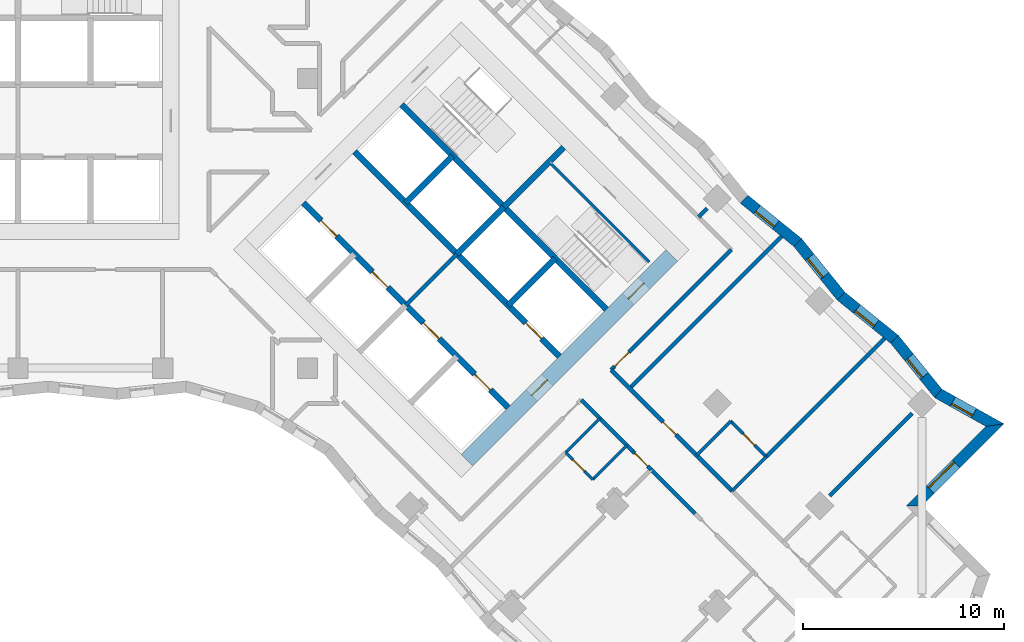
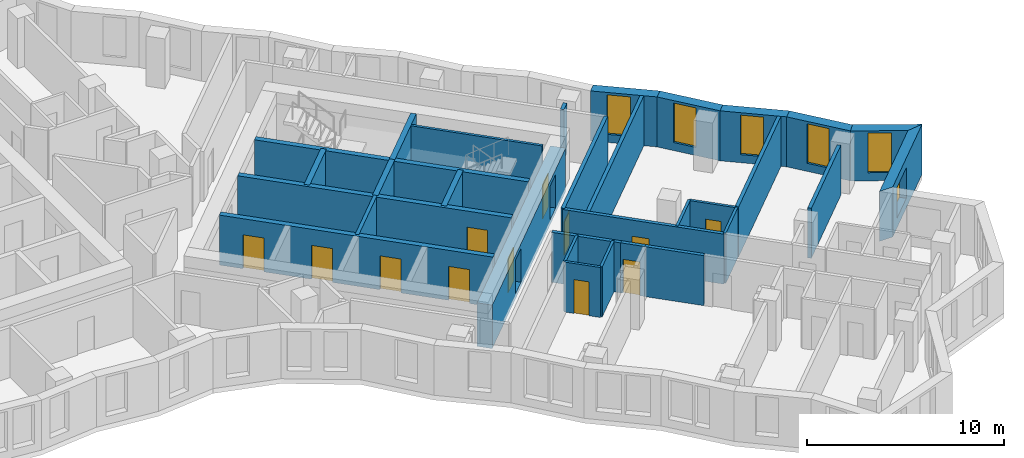
# One storey, part 9 of 12: 32 walls, 12 doors, 6 windows, 18 openings.
"""IFC4 building model written with IfcOpenShell, lengths in metres."""

from ifc_helpers import new_model, si_unit, direction, frame, frame_2d, origin, place, context, subcontext, project, spatial, polyline, rectangle, outline, extrude, material, layer, layer_set, type_object, element, fill, save


model = new_model("IFC4")

# Units and contexts
model_context = context("Model", 3, precision=1e-05, world=origin(), true_north=direction((0.0, 1.0)))
body_context = subcontext(model_context, "Body", "Model", "MODEL_VIEW")
ifc_project = project(units=[si_unit("LENGTHUNIT", "METRE"), si_unit("AREAUNIT", "SQUARE_METRE"), si_unit("VOLUMEUNIT", "CUBIC_METRE"), si_unit("PLANEANGLEUNIT", "RADIAN"), si_unit("MASSUNIT", "GRAM", prefix="KILO")], contexts=[model_context])

# Site, building, storey
site_placement = place(None, origin())
site = spatial("IfcSite", under=ifc_project, at=site_placement, CompositionType="ELEMENT")
building_placement = place(site_placement, origin())
building = spatial("IfcBuilding", under=site, at=building_placement, Name="Windrow Commons", CompositionType="ELEMENT")
storey_placement = place(building_placement, frame((0.0, 0.0, 88.0)))
storey = spatial("IfcBuildingStorey", under=building, at=storey_placement, Name="L23", CompositionType="ELEMENT", Elevation=88.0)

# Wall, opening, window
ifc_material_1 = material(Name="Brick masonry, red clay brick", Category="masonry")
ifc_layer_1 = layer(ifc_material_1, 0.55)
ifc_layer_set_1 = layer_set([ifc_layer_1], Name="Brick facade wall 550")
wall_type_1 = type_object("IfcWallType", Name="Brick facade wall 550", PredefinedType="SOLIDWALL", material=ifc_layer_set_1)
wall_1_placement = place(storey_placement, frame((109.3581, 36.3618, 0.0), z_axis=(0.0, 0.0, 1.0), x_axis=(0.7071067812, 0.7071067812, 0.0)))
wall_1 = element("IfcWall", 1, at=wall_1_placement, inside=storey, type_object=wall_type_1, Name="Brick facade wall L23 6", PredefinedType="SOLIDWALL", context=body_context, shape_type="SweptSolid", body=[
    extrude(outline(polyline([(0.275, -0.275), (6.036, -0.275), (5.3094, 0.275), (-0.275, 0.275), (0.275, -0.275)])), origin(), (0.0, 0.0, 1.0), 3.1),
])
opening_1_placement = place(wall_1_placement, frame((1.1375, 0.0, 0.6)))
opening_1 = element("IfcOpeningElement", 2, at=opening_1_placement, cuts=wall_1, Name="Opening W1L", PredefinedType="OPENING", context=body_context, shape_type="SweptSolid", body=[
    extrude(rectangle(XDim=1.8, YDim=1.9, at=frame_2d((0.9, 0.95))), frame((0.0, 0.285, 0.0), z_axis=(0.0, -1.0, 0.0), x_axis=(1.0, 0.0, 0.0)), (0.0, 0.0, 1.0), 0.57),
])
ifc_material_2 = material(Name="Clear float glass in anodised aluminium frame", Category="aluminium")
window_type_1 = type_object("IfcWindowType", Name="Window W1L bedroom 1800x1900", PartitioningType="SINGLE_PANEL", PredefinedType="WINDOW", material=ifc_material_2)
window_1_placement = place(opening_1_placement, origin())
window_1 = element("IfcWindow", 3, at=window_1_placement, inside=storey, type_object=window_type_1, Name="Window L23 6.1", OverallHeight=1.9, OverallWidth=1.8, PartitioningType="SINGLE_PANEL", PredefinedType="WINDOW", context=body_context, shape_type="SweptSolid", body=[
    extrude(rectangle(XDim=1.8, YDim=1.9, at=frame_2d((0.9, 0.95))), frame((0.0, 0.155, 0.0), z_axis=(0.0, -1.0, 0.0), x_axis=(1.0, 0.0, 0.0)), (0.0, 0.0, 1.0), 0.06),
])
fill(opening_1, window_1)

wall_2_placement = place(storey_placement, frame((113.3693, 40.373, 0.0), z_axis=(0.0, 0.0, 1.0), x_axis=(-0.8725208006, 0.4885769668, 0.0)))
wall_2 = element("IfcWall", 4, at=wall_2_placement, inside=storey, type_object=wall_type_1, Name="Brick facade wall L23 7", PredefinedType="SOLIDWALL", context=body_context, shape_type="SweptSolid", body=[
    extrude(outline(polyline([(-0.3633, -0.275), (3.1764, -0.275), (3.2824, 0.275), (0.3633, 0.275), (-0.3633, -0.275)])), origin(), (0.0, 0.0, 1.0), 3.1),
])
opening_2_placement = place(wall_2_placement, frame((1.1963, 0.0, 0.5)))
opening_2 = element("IfcOpeningElement", 5, at=opening_2_placement, cuts=wall_2, Name="Opening W7D", PredefinedType="OPENING", context=body_context, shape_type="SweptSolid", body=[
    extrude(rectangle(XDim=1.2, YDim=2.45, at=frame_2d((0.6, 1.225))), frame((0.0, 0.285, 0.0), z_axis=(0.0, -1.0, 0.0), x_axis=(1.0, 0.0, 0.0)), (0.0, 0.0, 1.0), 0.57),
])
ifc_material_3 = material(Name="Clear float glass in anodised aluminium frame", Category="aluminium")
window_type_2 = type_object("IfcWindowType", Name="Window W7 notch 1200x2450", PartitioningType="SINGLE_PANEL", PredefinedType="WINDOW", material=ifc_material_3)
window_2_placement = place(opening_2_placement, origin())
window_2 = element("IfcWindow", 6, at=window_2_placement, inside=storey, type_object=window_type_2, Name="Window L23 7.1", OverallHeight=2.45, OverallWidth=1.2, PartitioningType="SINGLE_PANEL", PredefinedType="WINDOW", context=body_context, shape_type="SweptSolid", body=[
    extrude(rectangle(XDim=1.2, YDim=2.45, at=frame_2d((0.6, 1.225))), frame((0.0, 0.155, 0.0), z_axis=(0.0, -1.0, 0.0), x_axis=(1.0, 0.0, 0.0)), (0.0, 0.0, 1.0), 0.06),
])
fill(opening_2, window_2)

wall_3_placement = place(storey_placement, frame((110.5516, 41.9508, 0.0), z_axis=(0.0, 0.0, 1.0), x_axis=(-0.6286568792, 0.7776827941, 0.0)))
wall_3 = element("IfcWall", 7, at=wall_3_placement, inside=storey, type_object=wall_type_1, Name="Brick facade wall L23 8", PredefinedType="SOLIDWALL", context=body_context, shape_type="SweptSolid", body=[
    extrude(outline(polyline([(0.053, -0.275), (3.4788, -0.275), (3.4205, 0.275), (-0.053, 0.275), (0.053, -0.275)])), origin(), (0.0, 0.0, 1.0), 3.1),
])
opening_3_placement = place(wall_3_placement, frame((1.1103, 0.0, 0.5)))
opening_3 = element("IfcOpeningElement", 8, at=opening_3_placement, cuts=wall_3, Name="Opening W7D", PredefinedType="OPENING", context=body_context, shape_type="SweptSolid", body=[
    extrude(rectangle(XDim=1.2, YDim=2.45, at=frame_2d((0.6, 1.225))), frame((0.0, 0.285, 0.0), z_axis=(0.0, -1.0, 0.0), x_axis=(1.0, 0.0, 0.0)), (0.0, 0.0, 1.0), 0.57),
])
window_3_placement = place(opening_3_placement, origin())
window_3 = element("IfcWindow", 9, at=window_3_placement, inside=storey, type_object=window_type_2, Name="Window L23 8.1", OverallHeight=2.45, OverallWidth=1.2, PartitioningType="SINGLE_PANEL", PredefinedType="WINDOW", context=body_context, shape_type="SweptSolid", body=[
    extrude(rectangle(XDim=1.2, YDim=2.45, at=frame_2d((0.6, 1.225))), frame((0.0, 0.155, 0.0), z_axis=(0.0, -1.0, 0.0), x_axis=(1.0, 0.0, 0.0)), (0.0, 0.0, 1.0), 0.06),
])
fill(opening_3, window_3)

wall_4_placement = place(storey_placement, frame((108.3829, 44.6336, 0.0), z_axis=(0.0, 0.0, 1.0), x_axis=(-0.777677697, 0.6286631845, 0.0)))
wall_4 = element("IfcWall", 10, at=wall_4_placement, inside=storey, type_object=wall_type_1, Name="Brick facade wall L23 9", PredefinedType="SOLIDWALL", context=body_context, shape_type="SweptSolid", body=[
    extrude(outline(polyline([(-0.0291, -0.275), (3.3967, -0.275), (3.455, 0.275), (0.0291, 0.275), (-0.0291, -0.275)])), origin(), (0.0, 0.0, 1.0), 3.1),
])
opening_4_placement = place(wall_4_placement, frame((1.2072, 0.0, 0.5)))
opening_4 = element("IfcOpeningElement", 11, at=opening_4_placement, cuts=wall_4, Name="Opening W7D", PredefinedType="OPENING", context=body_context, shape_type="SweptSolid", body=[
    extrude(rectangle(XDim=1.2, YDim=2.45, at=frame_2d((0.6, 1.225))), frame((0.0, 0.285, 0.0), z_axis=(0.0, -1.0, 0.0), x_axis=(1.0, 0.0, 0.0)), (0.0, 0.0, 1.0), 0.57),
])
window_4_placement = place(opening_4_placement, origin())
window_4 = element("IfcWindow", 12, at=window_4_placement, inside=storey, type_object=window_type_2, Name="Window L23 9.1", OverallHeight=2.45, OverallWidth=1.2, PartitioningType="SINGLE_PANEL", PredefinedType="WINDOW", context=body_context, shape_type="SweptSolid", body=[
    extrude(rectangle(XDim=1.2, YDim=2.45, at=frame_2d((0.6, 1.225))), frame((0.0, 0.155, 0.0), z_axis=(0.0, -1.0, 0.0), x_axis=(1.0, 0.0, 0.0)), (0.0, 0.0, 1.0), 0.06),
])
fill(opening_4, window_4)

wall_5_placement = place(storey_placement, frame((105.7187, 46.7873, 0.0), z_axis=(0.0, 0.0, 1.0), x_axis=(-0.6286631845, 0.777677697, 0.0)))
wall_5 = element("IfcWall", 13, at=wall_5_placement, inside=storey, type_object=wall_type_1, Name="Brick facade wall L23 10", PredefinedType="SOLIDWALL", context=body_context, shape_type="SweptSolid", body=[
    extrude(outline(polyline([(0.0291, -0.275), (3.455, -0.275), (3.3967, 0.275), (-0.0291, 0.275), (0.0291, -0.275)])), origin(), (0.0, 0.0, 1.0), 3.1),
])
opening_5_placement = place(wall_5_placement, frame((1.2898, 0.0, 0.5)))
opening_5 = element("IfcOpeningElement", 14, at=opening_5_placement, cuts=wall_5, Name="Opening W7D", PredefinedType="OPENING", context=body_context, shape_type="SweptSolid", body=[
    extrude(rectangle(XDim=1.2, YDim=2.45, at=frame_2d((0.6, 1.225))), frame((0.0, 0.285, 0.0), z_axis=(0.0, -1.0, 0.0), x_axis=(1.0, 0.0, 0.0)), (0.0, 0.0, 1.0), 0.57),
])
window_5_placement = place(opening_5_placement, origin())
window_5 = element("IfcWindow", 15, at=window_5_placement, inside=storey, type_object=window_type_2, Name="Window L23 10.1", OverallHeight=2.45, OverallWidth=1.2, PartitioningType="SINGLE_PANEL", PredefinedType="WINDOW", context=body_context, shape_type="SweptSolid", body=[
    extrude(rectangle(XDim=1.2, YDim=2.45, at=frame_2d((0.6, 1.225))), frame((0.0, 0.155, 0.0), z_axis=(0.0, -1.0, 0.0), x_axis=(1.0, 0.0, 0.0)), (0.0, 0.0, 1.0), 0.06),
])
fill(opening_5, window_5)

wall_6_placement = place(storey_placement, frame((103.565, 49.4515, 0.0), z_axis=(0.0, 0.0, 1.0), x_axis=(-0.777689233, 0.6286489138, 0.0)))
wall_6 = element("IfcWall", 16, at=wall_6_placement, inside=storey, type_object=wall_type_1, Name="Brick facade wall L23 11", PredefinedType="SOLIDWALL", context=body_context, shape_type="SweptSolid", body=[
    extrude(outline(polyline([(-0.0291, -0.275), (3.3967, -0.275), (3.455, 0.275), (0.0291, 0.275), (-0.0291, -0.275)])), origin(), (0.0, 0.0, 1.0), 3.1),
])
opening_6_placement = place(wall_6_placement, frame((1.4015, 0.0, 0.5)))
opening_6 = element("IfcOpeningElement", 17, at=opening_6_placement, cuts=wall_6, Name="Opening W7D", PredefinedType="OPENING", context=body_context, shape_type="SweptSolid", body=[
    extrude(rectangle(XDim=1.2, YDim=2.45, at=frame_2d((0.6, 1.225))), frame((0.0, 0.285, 0.0), z_axis=(0.0, -1.0, 0.0), x_axis=(1.0, 0.0, 0.0)), (0.0, 0.0, 1.0), 0.57),
])
window_6_placement = place(opening_6_placement, origin())
window_6 = element("IfcWindow", 18, at=window_6_placement, inside=storey, type_object=window_type_2, Name="Window L23 11.1", OverallHeight=2.45, OverallWidth=1.2, PartitioningType="SINGLE_PANEL", PredefinedType="WINDOW", context=body_context, shape_type="SweptSolid", body=[
    extrude(rectangle(XDim=1.2, YDim=2.45, at=frame_2d((0.6, 1.225))), frame((0.0, 0.155, 0.0), z_axis=(0.0, -1.0, 0.0), x_axis=(1.0, 0.0, 0.0)), (0.0, 0.0, 1.0), 0.06),
])
fill(opening_6, window_6)

# Wall
ifc_material_4 = material(Name="Blockwork partition", Category="masonry")
ifc_layer_2 = layer(ifc_material_4, 0.2)
ifc_layer_set_2 = layer_set([ifc_layer_2], Name="Fire lobby partition 200")
wall_type_2 = type_object("IfcWallType", Name="Fire lobby partition 200", PredefinedType="PARTITIONING", material=ifc_layer_set_2)
wall_7_placement = place(storey_placement, frame((84.079, 46.332, 0.0), z_axis=(0.0, 0.0, 1.0), x_axis=(0.7071067812, 0.7071067812, 0.0)))
element("IfcWall", 19, at=wall_7_placement, inside=storey, type_object=wall_type_2, Name="W-core-lobby-B-L23", PredefinedType="PARTITIONING", context=body_context, shape_type="SweptSolid", body=[
    extrude(rectangle(XDim=3.6, YDim=0.2, at=frame_2d((1.8, 0.0))), origin(), (0.0, 0.0, 1.0), 3.1),
])

# Wall, opening, door
ifc_material_5 = material(Name="Blockwork partition", Category="masonry")
ifc_layer_3 = layer(ifc_material_5, 0.2)
ifc_layer_set_3 = layer_set([ifc_layer_3], Name="IW-CORRIDOR-200")
wall_type_3 = type_object("IfcWallType", Name="IW-CORRIDOR-200", PredefinedType="PARTITIONING", material=ifc_layer_set_3)
wall_8_placement = place(storey_placement, frame((94.2945, 43.1105, 0.0), z_axis=(0.0, 0.0, 1.0), x_axis=(0.7071067812, -0.7071067812, 0.0)))
wall_8 = element("IfcWall", 20, at=wall_8_placement, inside=storey, type_object=wall_type_3, Name="W-L23-W008", PredefinedType="PARTITIONING", context=body_context, shape_type="SweptSolid", body=[
    extrude(rectangle(XDim=8.4994, YDim=0.2, at=frame_2d((4.2497, 0.0))), origin(), (0.0, 0.0, 1.0), 3.1),
])
opening_7_placement = place(wall_8_placement, frame((3.6515, 0.0, 0.0)))
opening_7 = element("IfcOpeningElement", 21, at=opening_7_placement, cuts=wall_8, Name="Opening D109F", PredefinedType="OPENING", context=body_context, shape_type="SweptSolid", body=[
    extrude(rectangle(XDim=0.9, YDim=2.1, at=frame_2d((0.45, 1.05))), frame((0.0, 0.11, 0.0), z_axis=(0.0, -1.0, 0.0), x_axis=(1.0, 0.0, 0.0)), (0.0, 0.0, 1.0), 0.22),
])
ifc_material_6 = material(Name="Timber door leaf", Category="wood")
door_type_1 = type_object("IfcDoorType", Name="DT-BEDROOM-900", OperationType="SINGLE_SWING_LEFT", PredefinedType="DOOR", material=ifc_material_6)
door_1_placement = place(opening_7_placement, origin())
door_1 = element("IfcDoor", 22, at=door_1_placement, inside=storey, type_object=door_type_1, Name="D-L23-D043", OperationType="SINGLE_SWING_RIGHT", OverallHeight=2.1, OverallWidth=0.9, PredefinedType="DOOR", context=body_context, shape_type="SweptSolid", body=[
    extrude(rectangle(XDim=0.9, YDim=2.1, at=frame_2d((0.45, 1.05))), frame((0.0, 0.025, 0.0), z_axis=(0.0, -1.0, 0.0), x_axis=(1.0, 0.0, 0.0)), (0.0, 0.0, 1.0), 0.05),
])
fill(opening_7, door_1)

wall_9_placement = place(storey_placement, frame((94.2972, 43.1168, 0.0), z_axis=(0.0, 0.0, 1.0), x_axis=(0.7071067812, 0.7071067812, 0.0)))
wall_9 = element("IfcWall", 23, at=wall_9_placement, inside=storey, type_object=wall_type_3, Name="W-L23-W010", PredefinedType="PARTITIONING", context=body_context, shape_type="SweptSolid", body=[
    extrude(rectangle(XDim=8.4485, YDim=0.2, at=frame_2d((4.2242, 0.0))), origin(), (0.0, 0.0, 1.0), 3.1),
])
opening_8_placement = place(wall_9_placement, frame((0.2416, 0.0, 0.0)))
opening_8 = element("IfcOpeningElement", 24, at=opening_8_placement, cuts=wall_9, Name="Opening D310F", PredefinedType="OPENING", context=body_context, shape_type="SweptSolid", body=[
    extrude(rectangle(XDim=1.0, YDim=2.1, at=frame_2d((0.5, 1.05))), frame((0.0, 0.11, 0.0), z_axis=(0.0, -1.0, 0.0), x_axis=(1.0, 0.0, 0.0)), (0.0, 0.0, 1.0), 0.22),
])
ifc_material_7 = material(Name="Timber door leaf", Category="wood")
door_type_2 = type_object("IfcDoorType", Name="DT-AMENITY-1000", OperationType="SINGLE_SWING_LEFT", PredefinedType="DOOR", material=ifc_material_7)
door_2_placement = place(opening_8_placement, origin())
door_2 = element("IfcDoor", 25, at=door_2_placement, inside=storey, type_object=door_type_2, Name="D-L23-D042", OperationType="SINGLE_SWING_LEFT", OverallHeight=2.1, OverallWidth=1.0, PredefinedType="DOOR", context=body_context, shape_type="SweptSolid", body=[
    extrude(rectangle(XDim=1.0, YDim=2.1, at=frame_2d((0.5, 1.05))), frame((0.0, 0.025, 0.0), z_axis=(0.0, -1.0, 0.0), x_axis=(1.0, 0.0, 0.0)), (0.0, 0.0, 1.0), 0.05),
])
fill(opening_8, door_2)

# Walls
wall_10_placement = place(storey_placement, frame((92.8086, 41.6266, 0.0), z_axis=(0.0, 0.0, 1.0), x_axis=(0.7071067812, -0.7071067812, 0.0)))
element("IfcWall", 26, at=wall_10_placement, inside=storey, type_object=wall_type_3, Name="W-L23-W057", PredefinedType="PARTITIONING", context=body_context, shape_type="SweptSolid", body=[
    extrude(rectangle(XDim=3.6232, YDim=0.2, at=frame_2d((1.8116, 0.0))), origin(), (0.0, 0.0, 1.0), 3.1),
])
wall_11_placement = place(storey_placement, frame((96.2736, 38.1616, 0.0), z_axis=(0.0, 0.0, 1.0), x_axis=(0.7071067812, -0.7071067812, 0.0)))
element("IfcWall", 27, at=wall_11_placement, inside=storey, type_object=wall_type_3, Name="W-L23-W063", PredefinedType="PARTITIONING", context=body_context, shape_type="SweptSolid", body=[
    extrude(rectangle(XDim=3.1, YDim=0.2, at=frame_2d((1.55, 0.0))), origin(), (0.0, 0.0, 1.0), 3.1),
])

# Wall, opening, door
wall_12_placement = place(storey_placement, frame((95.3748, 39.0688, 0.0), z_axis=(0.0, 0.0, 1.0), x_axis=(0.7063232841, -0.7078894111, 0.0)))
wall_12 = element("IfcWall", 28, at=wall_12_placement, inside=storey, type_object=wall_type_3, Name="W-L23-W147", PredefinedType="PARTITIONING", context=body_context, shape_type="SweptSolid", body=[
    extrude(rectangle(XDim=1.277, YDim=0.2, at=frame_2d((0.6385, 0.0))), origin(), (0.0, 0.0, 1.0), 3.1),
])
opening_9_placement = place(wall_12_placement, frame((0.1285, 0.0, 0.0)))
opening_9 = element("IfcOpeningElement", 29, at=opening_9_placement, cuts=wall_12, Name="Opening D109S", PredefinedType="OPENING", context=body_context, shape_type="SweptSolid", body=[
    extrude(rectangle(XDim=0.9, YDim=2.1, at=frame_2d((0.45, 1.05))), frame((0.0, 0.11, 0.0), z_axis=(0.0, -1.0, 0.0), x_axis=(1.0, 0.0, 0.0)), (0.0, 0.0, 1.0), 0.22),
])
door_3_placement = place(opening_9_placement, origin())
door_3 = element("IfcDoor", 30, at=door_3_placement, inside=storey, type_object=door_type_1, Name="D-L23-D048", OperationType="SINGLE_SWING_LEFT", OverallHeight=2.1, OverallWidth=0.9, PredefinedType="DOOR", context=body_context, shape_type="SweptSolid", body=[
    extrude(rectangle(XDim=0.9, YDim=2.1, at=frame_2d((0.45, 1.05))), frame((0.0, 0.025, 0.0), z_axis=(0.0, -1.0, 0.0), x_axis=(1.0, 0.0, 0.0)), (0.0, 0.0, 1.0), 0.05),
])
fill(opening_9, door_3)

ifc_material_8 = material(Name="Blockwork partition", Category="masonry")
ifc_layer_4 = layer(ifc_material_8, 0.15)
ifc_layer_set_4 = layer_set([ifc_layer_4], Name="IW-ENSUITE-150")
wall_type_4 = type_object("IfcWallType", Name="IW-ENSUITE-150", PredefinedType="PARTITIONING", material=ifc_layer_set_4)
wall_13_placement = place(storey_placement, frame((100.2326, 40.5666, 0.0), z_axis=(0.0, 0.0, 1.0), x_axis=(0.7071067812, -0.7071067812, 0.0)))
wall_13 = element("IfcWall", 31, at=wall_13_placement, inside=storey, type_object=wall_type_4, Name="W-L23-W069", PredefinedType="PARTITIONING", context=body_context, shape_type="SweptSolid", body=[
    extrude(rectangle(XDim=2.5003, YDim=0.15, at=frame_2d((1.2502, 0.0))), origin(), (0.0, 0.0, 1.0), 3.1),
])
opening_10_placement = place(wall_13_placement, frame((0.883, 0.0, 0.0)))
opening_10 = element("IfcOpeningElement", 32, at=opening_10_placement, cuts=wall_13, Name="Opening D208N", PredefinedType="OPENING", context=body_context, shape_type="SweptSolid", body=[
    extrude(rectangle(XDim=0.8, YDim=2.1, at=frame_2d((0.4, 1.05))), frame((0.0, 0.085, 0.0), z_axis=(0.0, -1.0, 0.0), x_axis=(1.0, 0.0, 0.0)), (0.0, 0.0, 1.0), 0.17),
])
ifc_material_9 = material(Name="Timber door leaf", Category="wood")
door_type_3 = type_object("IfcDoorType", Name="DT-ENSUITE-800", OperationType="SINGLE_SWING_LEFT", PredefinedType="DOOR", material=ifc_material_9)
door_4_placement = place(opening_10_placement, origin())
door_4 = element("IfcDoor", 33, at=door_4_placement, inside=storey, type_object=door_type_3, Name="D-L23-D044", OperationType="SINGLE_SWING_RIGHT", OverallHeight=2.1, OverallWidth=0.8, PredefinedType="DOOR", context=body_context, shape_type="SweptSolid", body=[
    extrude(rectangle(XDim=0.8, YDim=2.1, at=frame_2d((0.4, 1.05))), frame((0.0, 0.025, 0.0), z_axis=(0.0, -1.0, 0.0), x_axis=(1.0, 0.0, 0.0)), (0.0, 0.0, 1.0), 0.05),
])
fill(opening_10, door_4)

# Walls
for number, where, z_axis, x_axis, name in (
    (34, (92.0367, 39.0113, 0.0), (0.0, 0.0, 1.0), (0.7075233388, 0.706689978, 0.0), "W-L23-W091"),
    (35, (93.3808, 37.6672, 0.0), (0.0, 0.0, 1.0), (0.706689978, 0.7075233388, 0.0), "W-L23-W092"),
    (36, (98.5408, 38.8712, 0.0), (0.0, 0.0, 1.0), (0.706689978, 0.7075233388, 0.0), "W-L23-W093"),
    (37, (100.3085, 37.1035, 0.0), (0.0, 0.0, 1.0), (0.706689978, 0.7075233388, 0.0), "W-L23-W094"),
):
    element("IfcWall", number, at=place(storey_placement, frame(where, z_axis=z_axis, x_axis=x_axis)), inside=storey, type_object=wall_type_4, Name=name, PredefinedType="PARTITIONING", context=body_context, shape_type="SweptSolid", body=[
        extrude(rectangle(XDim=2.3999, YDim=0.15, at=frame_2d((1.2, 0.0))), origin(), (0.0, 0.0, 1.0), 3.1),
    ])

# Wall, opening, door
wall_14_placement = place(storey_placement, frame((92.0305, 39.0105, 0.0), z_axis=(0.0, 0.0, 1.0), x_axis=(0.7071067812, -0.7071067812, 0.0)))
wall_14 = element("IfcWall", 38, at=wall_14_placement, inside=storey, type_object=wall_type_4, Name="W-L23-W124", PredefinedType="PARTITIONING", context=body_context, shape_type="SweptSolid", body=[
    extrude(rectangle(XDim=1.9007, YDim=0.15, at=frame_2d((0.9504, 0.0))), origin(), (0.0, 0.0, 1.0), 3.1),
])
opening_11_placement = place(wall_14_placement, frame((0.5024, 0.0, 0.0)))
opening_11 = element("IfcOpeningElement", 39, at=opening_11_placement, cuts=wall_14, Name="Opening D208N", PredefinedType="OPENING", context=body_context, shape_type="SweptSolid", body=[
    extrude(rectangle(XDim=0.8, YDim=2.1, at=frame_2d((0.4, 1.05))), frame((0.0, 0.085, 0.0), z_axis=(0.0, -1.0, 0.0), x_axis=(1.0, 0.0, 0.0)), (0.0, 0.0, 1.0), 0.17),
])
door_5_placement = place(opening_11_placement, origin())
door_5 = element("IfcDoor", 40, at=door_5_placement, inside=storey, type_object=door_type_3, Name="D-L23-D049", OperationType="SINGLE_SWING_RIGHT", OverallHeight=2.1, OverallWidth=0.8, PredefinedType="DOOR", context=body_context, shape_type="SweptSolid", body=[
    extrude(rectangle(XDim=0.8, YDim=2.1, at=frame_2d((0.4, 1.05))), frame((0.0, 0.025, 0.0), z_axis=(0.0, -1.0, 0.0), x_axis=(1.0, 0.0, 0.0)), (0.0, 0.0, 1.0), 0.05),
])
fill(opening_11, door_5)

# Walls
ifc_material_10 = material(Name="Blockwork partition", Category="masonry")
ifc_layer_5 = layer(ifc_material_10, 0.2)
ifc_layer_set_5 = layer_set([ifc_layer_5], Name="IW-PARTY-200")
wall_type_5 = type_object("IfcWallType", Name="IW-PARTY-200", PredefinedType="PARTITIONING", material=ifc_layer_set_5)
wall_15_placement = place(storey_placement, frame((95.2154, 42.1966, 0.0), z_axis=(0.0, 0.0, 1.0), x_axis=(0.7071067812, 0.7071067812, 0.0)))
element("IfcWall", 41, at=wall_15_placement, inside=storey, type_object=wall_type_5, Name="W-L23-W006", PredefinedType="PARTITIONING", context=body_context, shape_type="SweptSolid", body=[
    extrude(rectangle(XDim=10.6755, YDim=0.2, at=frame_2d((5.3377, 0.0))), origin(), (0.0, 0.0, 1.0), 3.1),
])
wall_16_placement = place(storey_placement, frame((102.002, 38.804, 0.0), z_axis=(0.0, 0.0, 1.0), x_axis=(0.7072390372, 0.7069745004, 0.0)))
element("IfcWall", 42, at=wall_16_placement, inside=storey, type_object=wall_type_5, Name="W-L23-W012", PredefinedType="PARTITIONING", context=body_context, shape_type="SweptSolid", body=[
    extrude(rectangle(XDim=8.3164, YDim=0.2, at=frame_2d((4.1582, 0.0))), origin(), (0.0, 0.0, 1.0), 3.1),
])
wall_17_placement = place(storey_placement, frame((105.1552, 36.8628, 0.0), z_axis=(0.0, 0.0, 1.0), x_axis=(0.7071067812, 0.7071067812, 0.0)))
element("IfcWall", 43, at=wall_17_placement, inside=storey, type_object=wall_type_5, Name="W-L23-W030", PredefinedType="PARTITIONING", context=body_context, shape_type="SweptSolid", body=[
    extrude(rectangle(XDim=5.787, YDim=0.2, at=frame_2d((2.8935, 0.0))), origin(), (0.0, 0.0, 1.0), 3.1),
])
wall_18_placement = place(storey_placement, frame((98.6435, 50.7185, 0.0), z_axis=(0.0, 0.0, 1.0), x_axis=(0.7054171665, 0.7087923682, 0.0)))
element("IfcWall", 44, at=wall_18_placement, inside=storey, type_object=wall_type_5, Name="W-L23-W160", PredefinedType="PARTITIONING", context=body_context, shape_type="SweptSolid", body=[
    extrude(rectangle(XDim=0.5926, YDim=0.2, at=frame_2d((0.2963, 0.0))), origin(), (0.0, 0.0, 1.0), 3.1),
])

# Wall, openings, doors
ifc_material_11 = material(Name="Concrete C50/60", Category="concrete")
ifc_layer_6 = layer(ifc_material_11, 0.8)
ifc_layer_set_6 = layer_set([ifc_layer_6], Name="RC CORE WALL 800 C50/60")
wall_type_6 = type_object("IfcWallType", Name="RC CORE WALL 800 C50/60", PredefinedType="SHEAR", material=ifc_layer_set_6)
wall_19_placement = place(storey_placement, frame((87.1196, 38.6246, -0.3), z_axis=(0.0, 0.0, 1.0), x_axis=(0.7071067812, 0.7071067812, 0.0)))
wall_19 = element("IfcWall", 45, at=wall_19_placement, inside=storey, type_object=wall_type_6, Name="Core B wall outer-E", PredefinedType="SHEAR", context=body_context, shape_type="SweptSolid", body=[
    extrude(rectangle(XDim=14.3999, YDim=0.8, at=frame_2d((7.2, 0.0))), origin(), (0.0, 0.0, 1.0), 2.7),
])
opening_12_placement = place(wall_19_placement, frame((4.55, 0.0, 0.3)))
opening_12 = element("IfcOpeningElement", 46, at=opening_12_placement, cuts=wall_19, Name="Opening D6", PredefinedType="OPENING", context=body_context, shape_type="SweptSolid", body=[
    extrude(rectangle(XDim=1.1, YDim=2.1, at=frame_2d((0.55, 1.05))), frame((0.0, 0.41, 0.0), z_axis=(0.0, -1.0, 0.0), x_axis=(1.0, 0.0, 0.0)), (0.0, 0.0, 1.0), 0.82),
])
opening_13_placement = place(wall_19_placement, frame((11.35, 0.0, 0.3)))
opening_13 = element("IfcOpeningElement", 47, at=opening_13_placement, cuts=wall_19, Name="Opening D7", PredefinedType="OPENING", context=body_context, shape_type="SweptSolid", body=[
    extrude(rectangle(XDim=1.1, YDim=2.1, at=frame_2d((0.55, 1.05))), frame((0.0, 0.41, 0.0), z_axis=(0.0, -1.0, 0.0), x_axis=(1.0, 0.0, 0.0)), (0.0, 0.0, 1.0), 0.82),
])
ifc_material_12 = material(Name="Steel fire door leaf", Category="steel")
door_type_4 = type_object("IfcDoorType", Name="Core lobby door 1100", OperationType="SINGLE_SWING_LEFT", PredefinedType="DOOR", material=ifc_material_12)
door_6_placement = place(opening_12_placement, origin())
door_6 = element("IfcDoor", 48, at=door_6_placement, inside=storey, type_object=door_type_4, Name="Lift lobby door", OperationType="DOUBLE_DOOR_SINGLE_SWING", OverallHeight=2.1, OverallWidth=1.1, PredefinedType="DOOR", context=body_context, shape_type="SweptSolid", body=[
    extrude(rectangle(XDim=1.1, YDim=2.1, at=frame_2d((0.55, 1.05))), frame((0.0, 0.025, 0.0), z_axis=(0.0, -1.0, 0.0), x_axis=(1.0, 0.0, 0.0)), (0.0, 0.0, 1.0), 0.05),
])
fill(opening_12, door_6)
ifc_material_13 = material(Name="Steel fire door leaf", Category="steel")
door_type_5 = type_object("IfcDoorType", Name="Stair door 1100", OperationType="SINGLE_SWING_LEFT", PredefinedType="DOOR", material=ifc_material_13)
door_7_placement = place(opening_13_placement, origin())
door_7 = element("IfcDoor", 49, at=door_7_placement, inside=storey, type_object=door_type_5, Name="Stair door", OperationType="SINGLE_SWING_RIGHT", OverallHeight=2.1, OverallWidth=1.1, PredefinedType="DOOR", context=body_context, shape_type="SweptSolid", body=[
    extrude(rectangle(XDim=1.1, YDim=2.1, at=frame_2d((0.55, 1.05))), frame((0.0, 0.025, 0.0), z_axis=(0.0, -1.0, 0.0), x_axis=(1.0, 0.0, 0.0)), (0.0, 0.0, 1.0), 0.05),
])
fill(opening_13, door_7)

# Walls
ifc_material_14 = material(Name="Concrete C50/60", Category="concrete")
ifc_layer_7 = layer(ifc_material_14, 0.3)
ifc_layer_set_7 = layer_set([ifc_layer_7], Name="RC SHAFT WALL 300 C50/60")
wall_type_7 = type_object("IfcWallType", Name="RC SHAFT WALL 300 C50/60", PredefinedType="SOLIDWALL", material=ifc_layer_set_7)
wall_20_placement = place(storey_placement, frame((84.079, 51.4232, 0.0), z_axis=(0.0, 0.0, 1.0), x_axis=(0.7071219326, 0.7070916295, 0.0)))
element("IfcWall", 50, at=wall_20_placement, inside=storey, type_object=wall_type_7, Name="Core B wall shaft-N1", PredefinedType="SOLIDWALL", context=body_context, shape_type="SweptSolid", body=[
    extrude(rectangle(XDim=3.3, YDim=0.3, at=frame_2d((1.65, 0.0))), origin(), (0.0, 0.0, 1.0), 3.1),
])
for number, where, z_axis, x_axis, name in (
    (51, (86.6246, 48.8776, 0.0), (0.0, 0.0, 1.0), (0.7071067812, 0.7071067812, 0.0), "Core B wall shaft-N2"),
    (52, (89.1702, 46.332, 0.0), (0.0, 0.0, 1.0), (0.7071067812, 0.7071067812, 0.0), "Core B wall shaft-N3"),
):
    element("IfcWall", number, at=place(storey_placement, frame(where, z_axis=z_axis, x_axis=x_axis)), inside=storey, type_object=wall_type_7, Name=name, PredefinedType="SOLIDWALL", context=body_context, shape_type="SweptSolid", body=[
        extrude(rectangle(XDim=3.3001, YDim=0.3, at=frame_2d((1.6501, 0.0))), origin(), (0.0, 0.0, 1.0), 3.1),
    ])

# Wall, openings, doors
wall_21_placement = place(storey_placement, frame((78.9879, 51.4232, 0.0), z_axis=(0.0, 0.0, 1.0), x_axis=(0.7071067812, -0.7071067812, 0.0)))
wall_21 = element("IfcWall", 53, at=wall_21_placement, inside=storey, type_object=wall_type_7, Name="Core B wall lobby-S", PredefinedType="SOLIDWALL", context=body_context, shape_type="SweptSolid", body=[
    extrude(rectangle(XDim=14.3999, YDim=0.3, at=frame_2d((7.2, 0.0))), origin(), (0.0, 0.0, 1.0), 3.1),
])
opening_14_placement = place(wall_21_placement, frame((1.25, 0.0, 0.0)))
opening_14 = element("IfcOpeningElement", 54, at=opening_14_placement, cuts=wall_21, Name="Opening LD", PredefinedType="OPENING", context=body_context, shape_type="SweptSolid", body=[
    extrude(rectangle(XDim=1.1, YDim=2.1, at=frame_2d((0.55, 1.05))), frame((0.0, 0.16, 0.0), z_axis=(0.0, -1.0, 0.0), x_axis=(1.0, 0.0, 0.0)), (0.0, 0.0, 1.0), 0.32),
])
opening_15_placement = place(wall_21_placement, frame((4.85, 0.0, 0.0)))
opening_15 = element("IfcOpeningElement", 55, at=opening_15_placement, cuts=wall_21, Name="Opening LD", PredefinedType="OPENING", context=body_context, shape_type="SweptSolid", body=[
    extrude(rectangle(XDim=1.1, YDim=2.1, at=frame_2d((0.55, 1.05))), frame((0.0, 0.16, 0.0), z_axis=(0.0, -1.0, 0.0), x_axis=(1.0, 0.0, 0.0)), (0.0, 0.0, 1.0), 0.32),
])
opening_16_placement = place(wall_21_placement, frame((8.45, 0.0, 0.0)))
opening_16 = element("IfcOpeningElement", 56, at=opening_16_placement, cuts=wall_21, Name="Opening LD", PredefinedType="OPENING", context=body_context, shape_type="SweptSolid", body=[
    extrude(rectangle(XDim=1.1, YDim=2.1, at=frame_2d((0.55, 1.05))), frame((0.0, 0.16, 0.0), z_axis=(0.0, -1.0, 0.0), x_axis=(1.0, 0.0, 0.0)), (0.0, 0.0, 1.0), 0.32),
])
opening_17_placement = place(wall_21_placement, frame((12.05, 0.0, 0.0)))
opening_17 = element("IfcOpeningElement", 57, at=opening_17_placement, cuts=wall_21, Name="Opening LD", PredefinedType="OPENING", context=body_context, shape_type="SweptSolid", body=[
    extrude(rectangle(XDim=1.1, YDim=2.1, at=frame_2d((0.55, 1.05))), frame((0.0, 0.16, 0.0), z_axis=(0.0, -1.0, 0.0), x_axis=(1.0, 0.0, 0.0)), (0.0, 0.0, 1.0), 0.32),
])
ifc_material_15 = material(Name="Stainless steel door leaf", Category="steel")
door_type_6 = type_object("IfcDoorType", Name="Lift landing door 1100", OperationType="SLIDING_TO_LEFT", PredefinedType="DOOR", material=ifc_material_15)
door_8_placement = place(opening_14_placement, origin())
door_8 = element("IfcDoor", 58, at=door_8_placement, inside=storey, type_object=door_type_6, Name="Lift landing door", OperationType="SLIDING_TO_LEFT", OverallHeight=2.1, OverallWidth=1.1, PredefinedType="DOOR", context=body_context, shape_type="SweptSolid", body=[
    extrude(rectangle(XDim=1.1, YDim=2.1, at=frame_2d((0.55, 1.05))), frame((0.0, 0.025, 0.0), z_axis=(0.0, -1.0, 0.0), x_axis=(1.0, 0.0, 0.0)), (0.0, 0.0, 1.0), 0.05),
])
fill(opening_14, door_8)
door_9_placement = place(opening_15_placement, origin())
door_9 = element("IfcDoor", 59, at=door_9_placement, inside=storey, type_object=door_type_6, Name="Lift landing door", OperationType="SLIDING_TO_RIGHT", OverallHeight=2.1, OverallWidth=1.1, PredefinedType="DOOR", context=body_context, shape_type="SweptSolid", body=[
    extrude(rectangle(XDim=1.1, YDim=2.1, at=frame_2d((0.55, 1.05))), frame((0.0, 0.025, 0.0), z_axis=(0.0, -1.0, 0.0), x_axis=(1.0, 0.0, 0.0)), (0.0, 0.0, 1.0), 0.05),
])
fill(opening_15, door_9)
door_10_placement = place(opening_16_placement, origin())
door_10 = element("IfcDoor", 60, at=door_10_placement, inside=storey, type_object=door_type_6, Name="Lift landing door", OperationType="SLIDING_TO_LEFT", OverallHeight=2.1, OverallWidth=1.1, PredefinedType="DOOR", context=body_context, shape_type="SweptSolid", body=[
    extrude(rectangle(XDim=1.1, YDim=2.1, at=frame_2d((0.55, 1.05))), frame((0.0, 0.025, 0.0), z_axis=(0.0, -1.0, 0.0), x_axis=(1.0, 0.0, 0.0)), (0.0, 0.0, 1.0), 0.05),
])
fill(opening_16, door_10)
door_11_placement = place(opening_17_placement, origin())
door_11 = element("IfcDoor", 61, at=door_11_placement, inside=storey, type_object=door_type_6, Name="Lift landing door", OperationType="SLIDING_TO_RIGHT", OverallHeight=2.1, OverallWidth=1.1, PredefinedType="DOOR", context=body_context, shape_type="SweptSolid", body=[
    extrude(rectangle(XDim=1.1, YDim=2.1, at=frame_2d((0.55, 1.05))), frame((0.0, 0.025, 0.0), z_axis=(0.0, -1.0, 0.0), x_axis=(1.0, 0.0, 0.0)), (0.0, 0.0, 1.0), 0.05),
])
fill(opening_17, door_11)

# Wall, opening, door
wall_22_placement = place(storey_placement, frame((81.5335, 53.9688, 0.0), z_axis=(0.0, 0.0, 1.0), x_axis=(0.707103309, -0.7071102534, 0.0)))
wall_22 = element("IfcWall", 62, at=wall_22_placement, inside=storey, type_object=wall_type_7, Name="Core B wall lobby-N", PredefinedType="SOLIDWALL", context=body_context, shape_type="SweptSolid", body=[
    extrude(rectangle(XDim=14.4, YDim=0.3, at=frame_2d((7.2, 0.0))), origin(), (0.0, 0.0, 1.0), 3.1),
])
opening_18_placement = place(wall_22_placement, frame((12.05, 0.0, 0.0)))
opening_18 = element("IfcOpeningElement", 63, at=opening_18_placement, cuts=wall_22, Name="Opening LD", PredefinedType="OPENING", context=body_context, shape_type="SweptSolid", body=[
    extrude(rectangle(XDim=1.1, YDim=2.1, at=frame_2d((0.55, 1.05))), frame((0.0, 0.16, 0.0), z_axis=(0.0, -1.0, 0.0), x_axis=(1.0, 0.0, 0.0)), (0.0, 0.0, 1.0), 0.32),
])
door_12_placement = place(opening_18_placement, origin())
door_12 = element("IfcDoor", 64, at=door_12_placement, inside=storey, type_object=door_type_6, Name="Lift landing door", OperationType="SLIDING_TO_RIGHT", OverallHeight=2.1, OverallWidth=1.1, PredefinedType="DOOR", context=body_context, shape_type="SweptSolid", body=[
    extrude(rectangle(XDim=1.1, YDim=2.1, at=frame_2d((0.55, 1.05))), frame((0.0, 0.025, 0.0), z_axis=(0.0, -1.0, 0.0), x_axis=(1.0, 0.0, 0.0)), (0.0, 0.0, 1.0), 0.05),
])
fill(opening_18, door_12)

# Walls
for number, where, z_axis, x_axis, name in (
    (65, (83.8669, 56.3022, 0.0), (0.0, 0.0, 1.0), (0.7071137256, -0.7070998367, 0.0), "Core B wall stair-S"),
    (66, (88.9581, 51.2111, 0.0), (0.0, 0.0, 1.0), (0.7070998367, -0.7071137256, 0.0), "Core B wall stair-S2"),
):
    element("IfcWall", number, at=place(storey_placement, frame(where, z_axis=z_axis, x_axis=x_axis)), inside=storey, type_object=wall_type_7, Name=name, PredefinedType="SOLIDWALL", context=body_context, shape_type="SweptSolid", body=[
        extrude(rectangle(XDim=7.2, YDim=0.3, at=frame_2d((3.6, 0.0))), origin(), (0.0, 0.0, 1.0), 3.1),
    ])
wall_23_placement = place(storey_placement, frame((88.9581, 51.2111, 0.0), z_axis=(0.0, 0.0, 1.0), x_axis=(0.7071067812, 0.7071067812, 0.0)))
element("IfcWall", 67, at=wall_23_placement, inside=storey, type_object=wall_type_7, Name="Core B wall stair-mid", PredefinedType="SOLIDWALL", context=body_context, shape_type="SweptSolid", body=[
    extrude(rectangle(XDim=4.1999, YDim=0.3, at=frame_2d((2.1, 0.0))), origin(), (0.0, 0.0, 1.0), 3.1),
])
ifc_material_16 = material(Name="Blockwork partition", Category="masonry")
ifc_layer_8 = layer(ifc_material_16, 0.15)
ifc_layer_set_8 = layer_set([ifc_layer_8], Name="Riser partition 150")
wall_type_8 = type_object("IfcWallType", Name="Riser partition 150", PredefinedType="PARTITIONING", material=ifc_layer_set_8)
wall_24_placement = place(storey_placement, frame((91.3127, 53.3536, 0.0), z_axis=(0.0, 0.0, 1.0), x_axis=(0.7071140275, -0.7070995348, 0.0)))
element("IfcWall", 68, at=wall_24_placement, inside=storey, type_object=wall_type_8, Name="W-core-strip-B-L23", PredefinedType="PARTITIONING", context=body_context, shape_type="SweptSolid", body=[
    extrude(rectangle(XDim=6.9, YDim=0.15, at=frame_2d((3.45, 0.0))), origin(), (0.0, 0.0, 1.0), 3.1),
])

save(model, "model.ifc")
